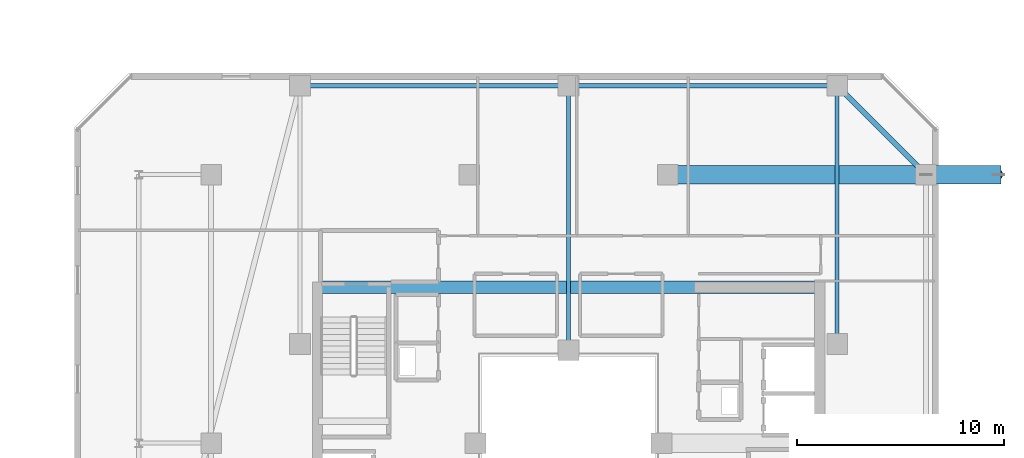
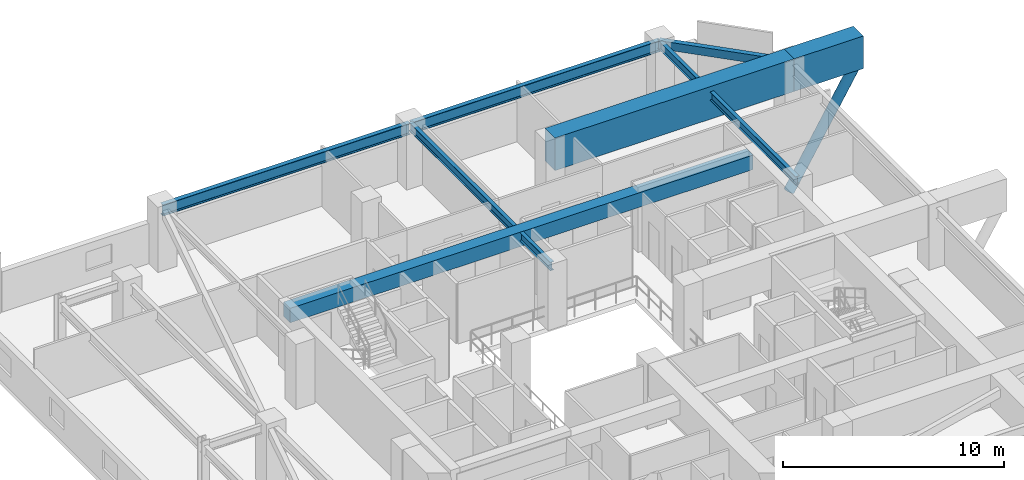
# One storey, part 16 of 35: 8 beams, 1 member.
"""IFC4 building model written with IfcOpenShell, lengths in metres."""

from ifc_helpers import new_model, si_unit, direction, frame, origin, origin_2d, place, context, subcontext, project, spatial, rectangle, hollow_rectangle, hollow_circle, i_section, extrude, material, material_profile, profile_set, type_object, element, save


model = new_model("IFC4")

# Units and contexts
model_context = context("Model", 3, precision=1e-05, world=origin(), true_north=direction((0.0, 1.0)))
body_context = subcontext(model_context, "Body", "Model", "MODEL_VIEW")
ifc_project = project(units=[si_unit("LENGTHUNIT", "METRE"), si_unit("AREAUNIT", "SQUARE_METRE"), si_unit("VOLUMEUNIT", "CUBIC_METRE"), si_unit("PLANEANGLEUNIT", "RADIAN"), si_unit("MASSUNIT", "GRAM", prefix="KILO")], contexts=[model_context])

# Site, building, storey
site_placement = place(None, origin())
site = spatial("IfcSite", under=ifc_project, at=site_placement, CompositionType="ELEMENT")
building_placement = place(site_placement, origin())
building = spatial("IfcBuilding", under=site, at=building_placement, Name="Thornwick Lancets Civic Towers", CompositionType="ELEMENT")
storey_placement = place(building_placement, frame((0.0, 0.0, 225.89990234375)))
storey = spatial("IfcBuildingStorey", under=building, at=storey_placement, Name="L60", CompositionType="ELEMENT", Elevation=225.89990234375)

# Beams
ifc_material_1 = material(Name="Concrete C60/75", Category="concrete")
ifc_material_profile_1 = material_profile(ifc_material_1, rectangle(XDim=0.60009765625, YDim=0.800048828125, at=origin_2d()), Name="RC 600x800")
ifc_profile_set_1 = profile_set([ifc_material_profile_1], Name="Concrete C60/75")
beam_type_1 = type_object("IfcBeamType", Name="BM_COUP_RC800", PredefinedType="BEAM", material=ifc_profile_set_1)
beam_1_placement = place(storey_placement, frame((76.39990234375, 34.550048828125, 2.920166015625), z_axis=(1.0, 0.0, 0.0), x_axis=(0.0, 1.0, 0.0)))
element("IfcBeam", 1, at=beam_1_placement, inside=storey, type_object=beam_type_1, Name="CB-L60-B1", PredefinedType="BEAM", context=body_context, shape_type="SweptSolid", body=[
    extrude(rectangle(XDim=0.60009765625, YDim=0.800048828125, at=origin_2d()), origin(), (0.0, 0.0, 1.0), 24.2001953125),
])
ifc_material_2 = material(Name="Steel S355JR", Category="steel")
ifc_material_profile_2 = material_profile(ifc_material_2, i_section(OverallWidth=0.230224609375, OverallDepth=0.6171875, WebThickness=0.01318359375, FlangeThickness=0.022216796875, FilletRadius=0.0126953125, at=origin_2d()), Name="UKB 610x229x140")
ifc_profile_set_2 = profile_set([ifc_material_profile_2], Name="Steel S355JR")
beam_type_2 = type_object("IfcBeamType", Name="BM_GIRD_610_140", PredefinedType="BEAM", material=ifc_profile_set_2)
beam_2_placement = place(storey_placement, frame((101.5, 44.300048828125, 3.011474609375), z_axis=(-1.0, 0.0, 0.0), x_axis=(0.0, -1.0, 0.0)))
element("IfcBeam", 2, at=beam_2_placement, inside=storey, type_object=beam_type_2, Name="BM-SPINE-L60-B-3-4", PredefinedType="BEAM", context=body_context, shape_type="SweptSolid", body=[
    extrude(i_section(OverallWidth=0.230224609375, OverallDepth=0.6171875, WebThickness=0.01318359375, FlangeThickness=0.022216796875, FilletRadius=0.0126953125, at=origin_2d()), origin(), (0.0, 0.0, 1.0), 13.0),
])
beam_3_placement = place(storey_placement, frame((88.419921875, 44.300048828125, 3.011474609375), z_axis=(-1.0, 0.0, 0.0), x_axis=(0.0, -1.0, 0.0)))
element("IfcBeam", 3, at=beam_3_placement, inside=storey, type_object=beam_type_2, Name="BM-SPINE-L60-B-4-5", PredefinedType="BEAM", context=body_context, shape_type="SweptSolid", body=[
    extrude(i_section(OverallWidth=0.230224609375, OverallDepth=0.6171875, WebThickness=0.01318359375, FlangeThickness=0.022216796875, FilletRadius=0.0126953125, at=origin_2d()), origin(), (0.0, 0.0, 1.0), 12.919921875),
])
ifc_material_profile_3 = material_profile(ifc_material_2, i_section(OverallWidth=0.19189453125, OverallDepth=0.46337890625, WebThickness=0.010498046875, FlangeThickness=0.017578125, FilletRadius=0.01025390625, at=origin_2d()), Name="UKB 457x191x89")
ifc_profile_set_3 = profile_set([ifc_material_profile_3], Name="Steel S355JR")
beam_type_3 = type_object("IfcBeamType", Name="BM_JOIST_457_89", PredefinedType="JOIST", material=ifc_profile_set_3)
beam_4_placement = place(storey_placement, frame((101.5, 31.800048828125, 3.08837890625), z_axis=(0.0, 1.0, 0.0), x_axis=(-1.0, 0.0, 0.0)))
element("IfcBeam", 4, at=beam_4_placement, inside=storey, type_object=beam_type_3, Name="BM-RADIN-L60-B04", PredefinedType="JOIST", context=body_context, shape_type="SweptSolid", body=[
    extrude(i_section(OverallWidth=0.19189453125, OverallDepth=0.46337890625, WebThickness=0.010498046875, FlangeThickness=0.017578125, FilletRadius=0.01025390625, at=origin_2d()), origin(), (0.0, 0.0, 1.0), 12.5),
])
beam_5_placement = place(storey_placement, frame((88.5, 31.5, 3.08837890625), z_axis=(0.0, 1.0, 0.0), x_axis=(-1.0, 0.0, 0.0)))
element("IfcBeam", 5, at=beam_5_placement, inside=storey, type_object=beam_type_3, Name="BM-RADIN-L60-B05", PredefinedType="JOIST", context=body_context, shape_type="SweptSolid", body=[
    extrude(i_section(OverallWidth=0.19189453125, OverallDepth=0.46337890625, WebThickness=0.010498046875, FlangeThickness=0.017578125, FilletRadius=0.01025390625, at=origin_2d()), origin(), (0.0, 0.0, 1.0), 12.800048828125),
])
ifc_material_profile_4 = material_profile(ifc_material_2, hollow_rectangle(XDim=0.25, YDim=0.449951171875, WallThickness=0.01611328125, at=origin_2d()), Name="RHS 450x250x16")
ifc_profile_set_4 = profile_set([ifc_material_profile_4], Name="Steel S355JR")
beam_type_4 = type_object("IfcBeamType", Name="BM_RING_RHS450", PredefinedType="BEAM", material=ifc_profile_set_4)
beam_6_placement = place(storey_placement, frame((105.800048828125, 40.0, 3.09521484375), z_axis=(-0.707106781187, 0.707106781187, 0.0), x_axis=(-0.707106781187, -0.707106781187, 0.0)))
element("IfcBeam", 6, at=beam_6_placement, inside=storey, type_object=beam_type_4, Name="BM-CHAMF-L60-B-C0", PredefinedType="BEAM", context=body_context, shape_type="SweptSolid", body=[
    extrude(hollow_rectangle(XDim=0.25, YDim=0.449951171875, WallThickness=0.01611328125, at=origin_2d()), origin(), (0.0, 0.0, 1.0), 6.081298828125),
])
ifc_material_profile_5 = material_profile(ifc_material_1, rectangle(XDim=0.89990234375, YDim=1.800048828125, at=origin_2d()), Name="RC 900x1800")
ifc_profile_set_5 = profile_set([ifc_material_profile_5], Name="Concrete C60/75")
beam_type_5 = type_object("IfcBeamType", Name="BM_TR_RC1800", PredefinedType="BEAM", material=ifc_profile_set_5)
beam_7_placement = place(storey_placement, frame((93.300048828125, 40.0, 2.7001953125), z_axis=(1.0, 0.0, 0.0), x_axis=(0.0, 1.0, 0.0)))
element("IfcBeam", 7, at=beam_7_placement, inside=storey, type_object=beam_type_5, Name="TG-BACK-L61-B03", PredefinedType="BEAM", context=body_context, shape_type="SweptSolid", body=[
    extrude(rectangle(XDim=0.89990234375, YDim=1.800048828125, at=origin_2d()), origin(), (0.0, 0.0, 1.0), 12.5),
])
beam_8_placement = place(storey_placement, frame((105.800048828125, 40.0, 2.7001953125), z_axis=(1.0, 0.0, 0.0), x_axis=(0.0, 1.0, 0.0)))
element("IfcBeam", 8, at=beam_8_placement, inside=storey, type_object=beam_type_5, Name="TG-CANT-L61-B03", PredefinedType="BEAM", context=body_context, shape_type="SweptSolid", body=[
    extrude(rectangle(XDim=0.89990234375, YDim=1.800048828125, at=origin_2d()), origin(), (0.0, 0.0, 1.0), 3.619873046875),
])

# Member
ifc_material_3 = material(Name="Steel S460M", Category="steel")
ifc_material_profile_6 = material_profile(ifc_material_3, hollow_circle(Radius=0.25390625, WallThickness=0.02490234375, at=origin_2d()), Name="CHS 508x25")
ifc_profile_set_6 = profile_set([ifc_material_profile_6], Name="Steel S460M")
member_type = type_object("IfcMemberType", Name="MEM_STRUT_CHS508", PredefinedType="STRUT", material=ifc_profile_set_6)
member_placement = place(storey_placement, frame((105.800048828125, 40.0, -3.949951171875), z_axis=(0.514706934567, 0.0, 0.857366182858), x_axis=(0.0, 1.0, 0.0)))
element("IfcMember", 9, at=member_placement, inside=storey, type_object=member_type, Name="L61 Jenga Transfer Raking Strut B03", PredefinedType="STRUT", context=body_context, shape_type="SweptSolid", body=[
    extrude(hollow_circle(Radius=0.25390625, WallThickness=0.02490234375, at=origin_2d()), origin(), (0.0, 0.0, 1.0), 6.800048828125),
])

save(model, "model.ifc")
